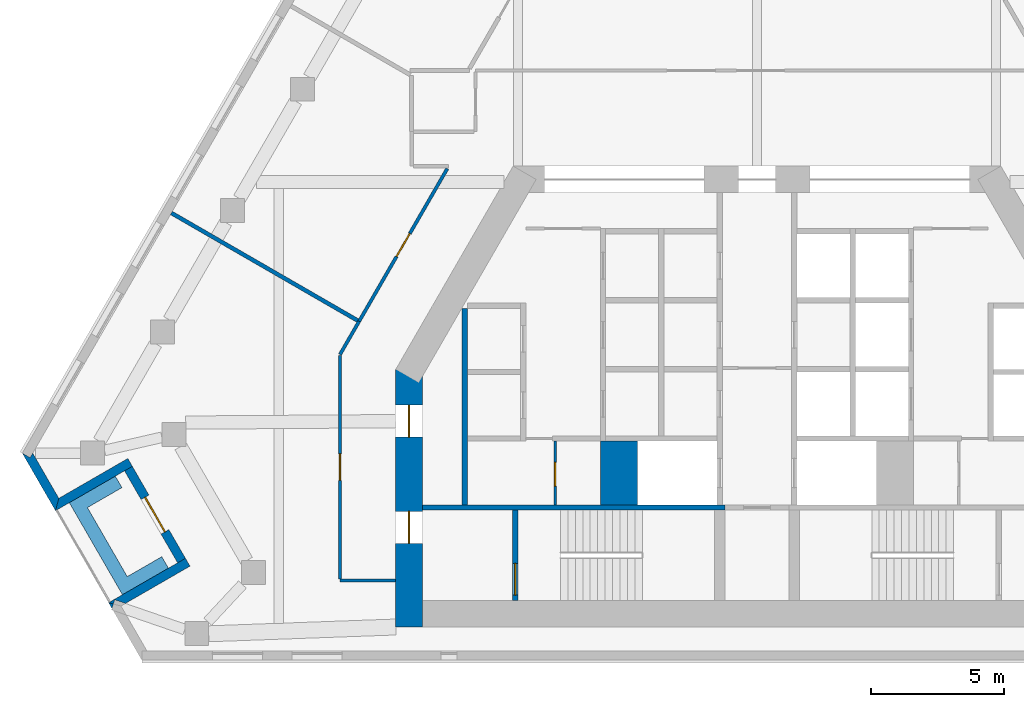
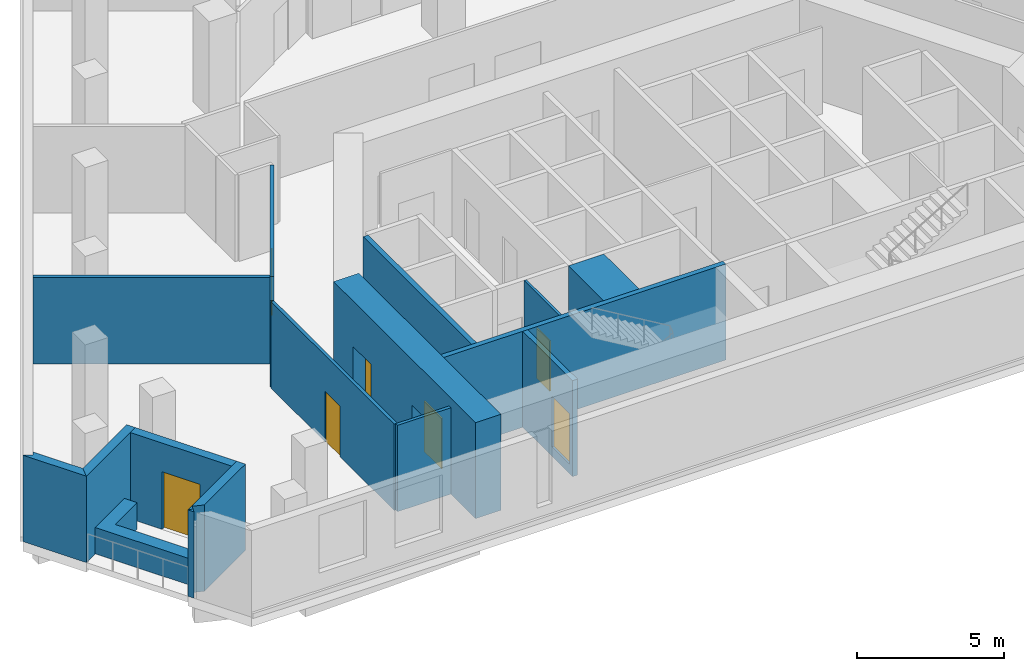
# One storey, part 3 of 9: 17 walls, 7 doors, 7 openings.
"""IFC4 building model written with IfcOpenShell, lengths in metres."""

from ifc_helpers import new_model, si_unit, direction, frame, frame_2d, origin, place, context, subcontext, project, spatial, polyline, rectangle, outline, extrude, material, layer, layer_set, type_object, element, fill, save


model = new_model("IFC4")

# Units and contexts
model_context = context("Model", 3, precision=1e-05, world=origin(), true_north=direction((0.0, 1.0)))
body_context = subcontext(model_context, "Body", "Model", "MODEL_VIEW")
ifc_project = project(units=[si_unit("LENGTHUNIT", "METRE"), si_unit("AREAUNIT", "SQUARE_METRE"), si_unit("VOLUMEUNIT", "CUBIC_METRE"), si_unit("PLANEANGLEUNIT", "RADIAN"), si_unit("MASSUNIT", "GRAM", prefix="KILO")], contexts=[model_context])

# Site, building, storey
site_placement = place(None, origin())
site = spatial("IfcSite", under=ifc_project, at=site_placement, CompositionType="ELEMENT")
building_placement = place(site_placement, origin())
building = spatial("IfcBuilding", under=site, at=building_placement, Name="Fogline Exchange Tower", CompositionType="ELEMENT")
storey_placement = place(building_placement, frame((0.0, 0.0, 198.10009765625)))
storey = spatial("IfcBuildingStorey", under=building, at=storey_placement, Name="L44", CompositionType="ELEMENT", Elevation=198.10009765625)

# Wall, opening, door
ifc_material_1 = material(Name="Blockwork partition", Category="masonry")
ifc_layer_1 = layer(ifc_material_1, 0.10009765625)
ifc_layer_set_1 = layer_set([ifc_layer_1], Name="CW10")
wall_type_1 = type_object("IfcWallType", Name="CW10", PredefinedType="PARTITIONING", material=ifc_layer_set_1)
wall_1_placement = place(storey_placement, frame((-7.60009765625, 5.85009765625, 0.0), z_axis=(0.0, 0.0, 1.0), x_axis=(0.0, 1.0, 0.0)))
wall_1 = element("IfcWall", 1, at=wall_1_placement, inside=storey, type_object=wall_type_1, Name="WC partition", PredefinedType="PARTITIONING", context=body_context, shape_type="SweptSolid", body=[
    extrude(rectangle(XDim=2.39990234375, YDim=0.10009765625, at=frame_2d((1.199951171875, 0.0))), origin(), (0.0, 0.0, 1.0), 3.599853515625),
])
opening_1_placement = place(wall_1_placement, frame((0.699951171875, 0.0, 0.0)))
opening_1 = element("IfcOpeningElement", 2, at=opening_1_placement, cuts=wall_1, Name="Opening T14-C013", PredefinedType="OPENING", context=body_context, shape_type="SweptSolid", body=[
    extrude(rectangle(XDim=0.89990234375, YDim=2.10009765625, at=frame_2d((0.449951171875, 1.050048828125))), frame((0.0, 0.06005859375, 0.0), z_axis=(0.0, -1.0, 0.0), x_axis=(1.0, 0.0, 0.0)), (0.0, 0.0, 1.0), 0.1201171875),
])
ifc_material_2 = material(Name="Steel and timber fire door", Category="steel")
door_type_1 = type_object("IfcDoorType", Name="D-CS1", OperationType="SINGLE_SWING_RIGHT", PredefinedType="DOOR", material=ifc_material_2)
door_1_placement = place(opening_1_placement, frame((0.89990234375, 0.0, 0.0), z_axis=(0.0, 0.0, 1.0), x_axis=(-1.0, 0.0, 0.0)))
door_1 = element("IfcDoor", 3, at=door_1_placement, inside=storey, type_object=door_type_1, Name="Door to Cleaner's Store", OperationType="SINGLE_SWING_RIGHT", OverallHeight=2.10009765625, OverallWidth=0.89990234375, PredefinedType="DOOR", context=body_context, shape_type="SweptSolid", body=[
    extrude(rectangle(XDim=0.89990234375, YDim=2.10009765625, at=frame_2d((0.449951171875, 1.050048828125))), frame((0.0, 0.02490234375, 0.0), z_axis=(0.0, -1.0, 0.0), x_axis=(1.0, 0.0, 0.0)), (0.0, 0.0, 1.0), 0.050048828125),
])
fill(opening_1, door_1)

# Walls
ifc_material_3 = material(Name="Concrete C60", Category="concrete")
ifc_layer_2 = layer(ifc_material_3, 1.39990234375)
ifc_layer_set_2 = layer_set([ifc_layer_2], Name="CW140")
wall_type_2 = type_object("IfcWallType", Name="CW140", PredefinedType="SOLIDWALL", material=ifc_layer_set_2)
wall_2_placement = place(storey_placement, frame((-5.199951171875, 5.85009765625, -0.400146484375), z_axis=(0.0, 0.0, 1.0), x_axis=(0.0, 1.0, 0.0)))
element("IfcWall", 4, at=wall_2_placement, inside=storey, type_object=wall_type_2, Name="Lift shaft block wall", PredefinedType="SOLIDWALL", context=body_context, shape_type="SweptSolid", body=[
    extrude(rectangle(XDim=2.39990234375, YDim=1.39990234375, at=frame_2d((1.199951171875, 0.0))), origin(), (0.0, 0.0, 1.0), 4.0),
])
ifc_material_4 = material(Name="Concrete C40", Category="concrete")
ifc_layer_3 = layer(ifc_material_4, 0.199951171875)
ifc_layer_set_3 = layer_set([ifc_layer_3], Name="CW20")
wall_type_3 = type_object("IfcWallType", Name="CW20", PredefinedType="SOLIDWALL", material=ifc_layer_set_3)
wall_3_placement = place(storey_placement, frame((-11.0, 5.85009765625, 0.0), z_axis=(0.0, 0.0, 1.0), x_axis=(0.0, 1.0, 0.0)))
element("IfcWall", 5, at=wall_3_placement, inside=storey, type_object=wall_type_3, Name="Service room wall", PredefinedType="SOLIDWALL", context=body_context, shape_type="SweptSolid", body=[
    extrude(rectangle(XDim=7.39990234375, YDim=0.199951171875, at=frame_2d((3.699951171875, 0.0))), origin(), (0.0, 0.0, 1.0), 3.599853515625),
])
ifc_layer_4 = layer(ifc_material_4, 0.199951171875)
ifc_layer_set_4 = layer_set([ifc_layer_4], Name="CW20R")
wall_type_4 = type_object("IfcWallType", Name="CW20R", PredefinedType="SOLIDWALL", material=ifc_layer_set_4)
wall_4_placement = place(storey_placement, frame((-12.60009765625, 5.75, -0.400146484375), z_axis=(0.0, 0.0, 1.0), x_axis=(1.0, 0.0, 0.0)))
element("IfcWall", 6, at=wall_4_placement, inside=storey, type_object=wall_type_4, Name="Stair enclosure wall", PredefinedType="SOLIDWALL", context=body_context, shape_type="SweptSolid", body=[
    extrude(rectangle(XDim=11.400146484375, YDim=0.199951171875, at=frame_2d((5.7001953125, 0.0))), origin(), (0.0, 0.0, 1.0), 4.0),
])

# Wall, opening, door
wall_5_placement = place(storey_placement, frame((-9.10009765625, 2.25, -0.400146484375), z_axis=(0.0, 0.0, 1.0), x_axis=(0.0, 1.0, 0.0)))
wall_5 = element("IfcWall", 7, at=wall_5_placement, inside=storey, type_object=wall_type_4, Name="Stair enclosure wall", PredefinedType="SOLIDWALL", context=body_context, shape_type="SweptSolid", body=[
    extrude(rectangle(XDim=3.39990234375, YDim=0.199951171875, at=frame_2d((1.699951171875, 0.0))), origin(), (0.0, 0.0, 1.0), 4.0),
])
opening_2_placement = place(wall_5_placement, frame((0.199951171875, 0.0, 0.39990234375)))
opening_2 = element("IfcOpeningElement", 8, at=opening_2_placement, cuts=wall_5, Name="Opening T14-C015", PredefinedType="OPENING", context=body_context, shape_type="SweptSolid", body=[
    extrude(rectangle(XDim=1.199951171875, YDim=2.10009765625, at=frame_2d((0.60009765625, 1.050048828125))), frame((0.0, 0.10986328125, 0.0), z_axis=(0.0, -1.0, 0.0), x_axis=(1.0, 0.0, 0.0)), (0.0, 0.0, 1.0), 0.219970703125),
])
door_type_2 = type_object("IfcDoorType", Name="D-ST1", OperationType="SINGLE_SWING_LEFT", PredefinedType="DOOR", material=ifc_material_2)
door_2_placement = place(opening_2_placement, frame((1.199951171875, 0.0, 0.0), z_axis=(0.0, 0.0, 1.0), x_axis=(-1.0, 0.0, 0.0)))
door_2 = element("IfcDoor", 9, at=door_2_placement, inside=storey, type_object=door_type_2, Name="Stair door ST1", OperationType="SINGLE_SWING_RIGHT", OverallHeight=2.10009765625, OverallWidth=1.199951171875, PredefinedType="DOOR", context=body_context, shape_type="SweptSolid", body=[
    extrude(rectangle(XDim=1.199951171875, YDim=2.10009765625, at=frame_2d((0.60009765625, 1.050048828125))), frame((0.0, 0.02490234375, 0.0), z_axis=(0.0, -1.0, 0.0), x_axis=(1.0, 0.0, 0.0)), (0.0, 0.0, 1.0), 0.050048828125),
])
fill(opening_2, door_2)

# Walls
ifc_material_5 = material(Name="Brick masonry", Category="masonry")
ifc_layer_5 = layer(ifc_material_5, 0.340087890625)
ifc_layer_set_5 = layer_set([ifc_layer_5], Name="FW1")
wall_type_5 = type_object("IfcWallType", Name="FW1", PredefinedType="SOLIDWALL", material=ifc_layer_set_5)
wall_6_placement = place(storey_placement, origin())
element("IfcWall", 10, at=wall_6_placement, inside=storey, type_object=wall_type_5, Name="Brick wall L44 SW-c1", PredefinedType="SOLIDWALL", context=body_context, shape_type="SweptSolid", body=[
    extrude(outline(polyline([(-26.408935546875, 5.6279296875), (-27.659912109375, 7.794921875), (-27.65966796875, 7.79541015625), (-27.36474609375, 7.625), (-27.266357421875, 7.79541015625), (-26.283935546875, 6.09375), (-26.40869140625, 5.6279296875), (-26.408935546875, 5.6279296875)])), origin(), (0.0, 0.0, 1.0), 3.599853515625),
])
wall_7_placement = place(storey_placement, origin())
element("IfcWall", 11, at=wall_7_placement, inside=storey, type_object=wall_type_5, Name="Brick wall L44 SW-s1", PredefinedType="SOLIDWALL", context=body_context, shape_type="SweptSolid", body=[
    extrude(outline(polyline([(-23.686279296875, 7.594482421875), (-23.515625, 7.298828125), (-23.810546875, 7.128662109375), (-26.409423828125, 5.628173828125), (-26.40966796875, 5.62841796875), (-26.284912109375, 6.093994140625), (-23.686279296875, 7.594482421875)])), origin(), (0.0, 0.0, 1.0), 3.599853515625),
])

# Wall, opening, door
wall_8_placement = place(storey_placement, frame((-23.66357421875, 7.214111328125, 0.0), z_axis=(0.0, 0.0, 1.0), x_axis=(0.49999894854, -0.866026010844, 0.0)))
wall_8 = element("IfcWall", 12, at=wall_8_placement, inside=storey, type_object=wall_type_5, Name="Brick wall L44 SW-bk", PredefinedType="SOLIDWALL", context=body_context, shape_type="SweptSolid", body=[
    extrude(rectangle(XDim=4.0, YDim=0.340087890625, at=frame_2d((2.0, 0.0))), origin(), (0.0, 0.0, 1.0), 3.599853515625),
])
opening_3_placement = place(wall_8_placement, frame((1.25, 0.0, 0.0)))
opening_3 = element("IfcOpeningElement", 13, at=opening_3_placement, cuts=wall_8, Name="Opening T14-E021", PredefinedType="OPENING", context=body_context, shape_type="SweptSolid", body=[
    extrude(rectangle(XDim=1.5, YDim=2.39990234375, at=frame_2d((0.75, 1.199951171875))), frame((0.0, 0.18017578125, 0.0), z_axis=(0.0, -1.0, 0.0), x_axis=(1.0, 0.0, 0.0)), (0.0, 0.0, 1.0), 0.360107421875),
])
ifc_material_6 = material(Name="Aluminium and glass", Category="aluminium")
door_type_3 = type_object("IfcDoorType", Name="ED4", OperationType="SINGLE_SWING_LEFT", PredefinedType="DOOR", material=ifc_material_6)
door_3_placement = place(opening_3_placement, frame((1.5, 0.0, 0.0), z_axis=(0.0, 0.0, 1.0), x_axis=(-1.0, 0.0, 0.0)))
door_3 = element("IfcDoor", 14, at=door_3_placement, inside=storey, type_object=door_type_3, Name="Balcony door L44 SW", OperationType="DOUBLE_DOOR_SINGLE_SWING", OverallHeight=2.39990234375, OverallWidth=1.5, PredefinedType="DOOR", context=body_context, shape_type="SweptSolid", body=[
    extrude(rectangle(XDim=1.5, YDim=2.39990234375, at=frame_2d((0.75, 1.199951171875))), frame((0.0, 0.02490234375, 0.0), z_axis=(0.0, -1.0, 0.0), x_axis=(1.0, 0.0, 0.0)), (0.0, 0.0, 1.0), 0.050048828125),
])
fill(opening_3, door_3)

# Walls
wall_9_placement = place(storey_placement, origin())
element("IfcWall", 15, at=wall_9_placement, inside=storey, type_object=wall_type_5, Name="Brick wall L44 SW-s2", PredefinedType="SOLIDWALL", context=body_context, shape_type="SweptSolid", body=[
    extrude(outline(polyline([(-21.81103515625, 3.66552734375), (-21.51611328125, 3.8359375), (-21.345458984375, 3.540283203125), (-23.7763671875, 2.136962890625), (-24.17431640625, 2.274169921875), (-24.22900390625, 2.1162109375), (-24.41015625, 2.164794921875), (-24.41015625, 2.1650390625), (-21.81103515625, 3.66552734375)])), origin(), (0.0, 0.0, 1.0), 3.599853515625),
])
wall_10_placement = place(storey_placement, origin())
element("IfcWall", 16, at=wall_10_placement, inside=storey, type_object=wall_type_5, Name="Brick wall L44 SW-c2", PredefinedType="SOLIDWALL", context=body_context, shape_type="SweptSolid", body=[
    extrude(outline(polyline([(-24.409912109375, 2.165771484375), (-24.40966796875, 2.166015625), (-24.228515625, 2.117431640625), (-24.285888671875, 1.950927734375), (-24.409912109375, 2.165771484375)])), origin(), (0.0, 0.0, 1.0), 3.599853515625),
])
ifc_material_7 = material(Name="Concrete C30", Category="concrete")
ifc_layer_6 = layer(ifc_material_7, 0.199951171875)
ifc_layer_set_6 = layer_set([ifc_layer_6], Name="PL1")
wall_type_6 = type_object("IfcWallType", Name="PL1", PredefinedType="USERDEFINED", material=ifc_layer_set_6)
wall_11_placement = place(storey_placement, origin())
element("IfcWall", 17, at=wall_11_placement, inside=storey, type_object=wall_type_6, Name="PLANTER balcony L44 SW", ObjectType="PLANTER", PredefinedType="USERDEFINED", context=body_context, shape_type="SweptSolid", body=[
    extrude(outline(polyline([(-22.4072265625, 3.898193359375), (-23.706298828125, 3.148193359375), (-25.206298828125, 5.74609375), (-23.9072265625, 6.49609375), (-24.1572265625, 6.92919921875), (-25.889404296875, 5.92919921875), (-25.639404296875, 5.49609375), (-23.889404296875, 2.465087890625), (-23.456298828125, 2.715087890625), (-23.456298828125, 2.715087890625), (-22.1572265625, 3.465087890625), (-22.4072265625, 3.898193359375)])), origin(), (0.0, 0.0, 1.0), 1.099853515625),
])

# Wall, opening, door
ifc_material_8 = material(Name="Plasterboard corridor partition with mineral wool, 2 layers each side")
ifc_layer_7 = layer(ifc_material_8, 0.125)
ifc_layer_set_7 = layer_set([ifc_layer_7], Name="PW2")
wall_type_7 = type_object("IfcWallType", Name="PW2", PredefinedType="PARTITIONING", material=ifc_layer_set_7)
wall_12_placement = place(storey_placement, frame((-14.9794921875, 12.756103515625, 0.0), z_axis=(0.0, 0.0, 1.0), x_axis=(0.499995140796, 0.866028209229, 0.0)))
wall_12 = element("IfcWall", 18, at=wall_12_placement, inside=storey, type_object=wall_type_7, Name="wall-L44-W014", PredefinedType="PARTITIONING", context=body_context, shape_type="SweptSolid", body=[
    extrude(rectangle(XDim=6.63916015625, YDim=0.125, at=frame_2d((3.319580078125, 0.0))), origin(), (0.0, 0.0, 1.0), 3.599853515625),
])
opening_4_placement = place(wall_12_placement, frame((2.819580078125, 0.0, 0.0)))
opening_4 = element("IfcOpeningElement", 19, at=opening_4_placement, cuts=wall_12, Name="Opening T14-D005", PredefinedType="OPENING", context=body_context, shape_type="SweptSolid", body=[
    extrude(rectangle(XDim=1.0, YDim=2.10009765625, at=frame_2d((0.5, 1.050048828125))), frame((0.0, 0.072509765625, 0.0), z_axis=(0.0, -1.0, 0.0), x_axis=(1.0, 0.0, 0.0)), (0.0, 0.0, 1.0), 0.14501953125),
])
ifc_material_9 = material(Name="Fire-rated timber door leaf with steel frame", Category="steel")
door_type_4 = type_object("IfcDoorType", Name="D3", OperationType="SINGLE_SWING_LEFT", PredefinedType="DOOR", material=ifc_material_9)
door_4_placement = place(opening_4_placement, origin())
door_4 = element("IfcDoor", 20, at=door_4_placement, inside=storey, type_object=door_type_4, Name="door-L44-D005", OperationType="SINGLE_SWING_LEFT", OverallHeight=2.10009765625, OverallWidth=1.0, PredefinedType="DOOR", context=body_context, shape_type="SweptSolid", body=[
    extrude(rectangle(XDim=1.0, YDim=2.10009765625, at=frame_2d((0.5, 1.050048828125))), frame((0.0, 0.02490234375, 0.0), z_axis=(0.0, -1.0, 0.0), x_axis=(1.0, 0.0, 0.0)), (0.0, 0.0, 1.0), 0.050048828125),
])
fill(opening_4, door_4)

# Wall
wall_13_placement = place(storey_placement, frame((-13.60009765625, 3.0, 0.0), z_axis=(0.0, 0.0, 1.0), x_axis=(-1.0, 0.0, 0.0)))
element("IfcWall", 21, at=wall_13_placement, inside=storey, type_object=wall_type_7, Name="wall-L44-W015", PredefinedType="PARTITIONING", context=body_context, shape_type="SweptSolid", body=[
    extrude(rectangle(XDim=2.099853515625, YDim=0.125, at=frame_2d((1.0498046875, 0.0))), origin(), (0.0, 0.0, 1.0), 3.599853515625),
])

# Wall, opening, door
wall_14_placement = place(storey_placement, frame((-15.699951171875, 3.0625, 0.0), z_axis=(0.0, 0.0, 1.0), x_axis=(0.0, 1.0, 0.0)))
wall_14 = element("IfcWall", 22, at=wall_14_placement, inside=storey, type_object=wall_type_7, Name="wall-L44-W016", PredefinedType="PARTITIONING", context=body_context, shape_type="SweptSolid", body=[
    extrude(rectangle(XDim=8.41455078125, YDim=0.125, at=frame_2d((4.207275390625, 0.0))), origin(), (0.0, 0.0, 1.0), 3.599853515625),
])
opening_5_placement = place(wall_14_placement, frame((3.707275390625, 0.0, 0.0)))
opening_5 = element("IfcOpeningElement", 23, at=opening_5_placement, cuts=wall_14, Name="Opening T14-D006", PredefinedType="OPENING", context=body_context, shape_type="SweptSolid", body=[
    extrude(rectangle(XDim=1.0, YDim=2.10009765625, at=frame_2d((0.5, 1.050048828125))), frame((0.0, 0.072509765625, 0.0), z_axis=(0.0, -1.0, 0.0), x_axis=(1.0, 0.0, 0.0)), (0.0, 0.0, 1.0), 0.14501953125),
])
door_5_placement = place(opening_5_placement, origin())
door_5 = element("IfcDoor", 24, at=door_5_placement, inside=storey, type_object=door_type_4, Name="door-L44-D006", OperationType="SINGLE_SWING_LEFT", OverallHeight=2.10009765625, OverallWidth=1.0, PredefinedType="DOOR", context=body_context, shape_type="SweptSolid", body=[
    extrude(rectangle(XDim=1.0, YDim=2.10009765625, at=frame_2d((0.5, 1.050048828125))), frame((0.0, 0.02490234375, 0.0), z_axis=(0.0, -1.0, 0.0), x_axis=(1.0, 0.0, 0.0)), (0.0, 0.0, 1.0), 0.050048828125),
])
fill(opening_5, door_5)

# Walls
wall_15_placement = place(storey_placement, frame((-15.699951171875, 11.508056640625, 0.0), z_axis=(0.0, 0.0, 1.0), x_axis=(0.499947322133, 0.866055815229, 0.0)))
element("IfcWall", 25, at=wall_15_placement, inside=storey, type_object=wall_type_7, Name="wall-L44-W017", PredefinedType="PARTITIONING", context=body_context, shape_type="SweptSolid", body=[
    extrude(rectangle(XDim=1.441162109375, YDim=0.125, at=frame_2d((0.720703125, 0.0))), origin(), (0.0, 0.0, 1.0), 3.599853515625),
])
ifc_material_10 = material(Name="Plasterboard demising partition with mineral wool and acoustic board")
ifc_layer_8 = layer(ifc_material_10, 0.14990234375)
ifc_layer_set_8 = layer_set([ifc_layer_8], Name="PW3")
wall_type_8 = type_object("IfcWallType", Name="PW3", PredefinedType="PARTITIONING", material=ifc_layer_set_8)
wall_16_placement = place(storey_placement, frame((-15.033447265625, 12.787353515625, 0.0), z_axis=(0.0, 0.0, 1.0), x_axis=(-0.866015374072, 0.50001737157, 0.0)))
element("IfcWall", 26, at=wall_16_placement, inside=storey, type_object=wall_type_8, Name="wall-L44-W035", PredefinedType="PARTITIONING", context=body_context, shape_type="SweptSolid", body=[
    extrude(rectangle(XDim=8.097412109375, YDim=0.14990234375, at=frame_2d((4.048828125, 0.0))), origin(), (0.0, 0.0, 1.0), 3.599853515625),
])

# Wall, openings, doors
ifc_layer_9 = layer(ifc_material_3, 1.0)
ifc_layer_set_9 = layer_set([ifc_layer_9], Name="SW03")
wall_type_9 = type_object("IfcWallType", Name="SW03", PredefinedType="SHEAR", material=ifc_layer_set_9)
wall_17_placement = place(storey_placement, frame((-13.10009765625, 10.9453125, 0.0), z_axis=(0.0, 0.0, 1.0), x_axis=(0.0, -1.0, 0.0)))
wall_17 = element("IfcWall", 27, at=wall_17_placement, inside=storey, type_object=wall_type_9, Name="L44-W906", PredefinedType="SHEAR", context=body_context, shape_type="SweptSolid", body=[
    extrude(rectangle(XDim=9.6953125, YDim=1.0, at=frame_2d((4.84765625, 0.0))), origin(), (0.0, 0.0, 1.0), 4.0),
])
opening_6_placement = place(wall_17_placement, frame((5.345458984375, 0.0, 0.0)))
opening_6 = element("IfcOpeningElement", 28, at=opening_6_placement, cuts=wall_17, Name="Opening T14-C014", PredefinedType="OPENING", context=body_context, shape_type="SweptSolid", body=[
    extrude(rectangle(XDim=1.199951171875, YDim=2.10009765625, at=frame_2d((0.60009765625, 1.050048828125))), frame((0.0, 0.510009765625, 0.0), z_axis=(0.0, -1.0, 0.0), x_axis=(1.0, 0.0, 0.0)), (0.0, 0.0, 1.0), 1.02001953125),
])
opening_7_placement = place(wall_17_placement, frame((1.345458984375, 0.0, 0.0)))
opening_7 = element("IfcOpeningElement", 29, at=opening_7_placement, cuts=wall_17, Name="Opening T14-C016", PredefinedType="OPENING", context=body_context, shape_type="SweptSolid", body=[
    extrude(rectangle(XDim=1.199951171875, YDim=2.10009765625, at=frame_2d((0.60009765625, 1.050048828125))), frame((0.0, 0.510009765625, 0.0), z_axis=(0.0, -1.0, 0.0), x_axis=(1.0, 0.0, 0.0)), (0.0, 0.0, 1.0), 1.02001953125),
])
door_type_5 = type_object("IfcDoorType", Name="D-FR1", OperationType="SINGLE_SWING_RIGHT", PredefinedType="DOOR", material=ifc_material_2)
door_6_placement = place(opening_6_placement, origin())
door_6 = element("IfcDoor", 30, at=door_6_placement, inside=storey, type_object=door_type_5, Name="Front room door ST1", OperationType="SINGLE_SWING_LEFT", OverallHeight=2.10009765625, OverallWidth=1.199951171875, PredefinedType="DOOR", context=body_context, shape_type="SweptSolid", body=[
    extrude(rectangle(XDim=1.199951171875, YDim=2.10009765625, at=frame_2d((0.60009765625, 1.050048828125))), frame((0.0, 0.02490234375, 0.0), z_axis=(0.0, -1.0, 0.0), x_axis=(1.0, 0.0, 0.0)), (0.0, 0.0, 1.0), 0.050048828125),
])
fill(opening_6, door_6)
door_type_6 = type_object("IfcDoorType", Name="D-SV1", OperationType="SINGLE_SWING_LEFT", PredefinedType="DOOR", material=ifc_material_2)
door_7_placement = place(opening_7_placement, origin())
door_7 = element("IfcDoor", 31, at=door_7_placement, inside=storey, type_object=door_type_6, Name="Service door W", OperationType="SINGLE_SWING_LEFT", OverallHeight=2.10009765625, OverallWidth=1.199951171875, PredefinedType="DOOR", context=body_context, shape_type="SweptSolid", body=[
    extrude(rectangle(XDim=1.199951171875, YDim=2.10009765625, at=frame_2d((0.60009765625, 1.050048828125))), frame((0.0, 0.02490234375, 0.0), z_axis=(0.0, -1.0, 0.0), x_axis=(1.0, 0.0, 0.0)), (0.0, 0.0, 1.0), 0.050048828125),
])
fill(opening_7, door_7)

save(model, "model.ifc")
